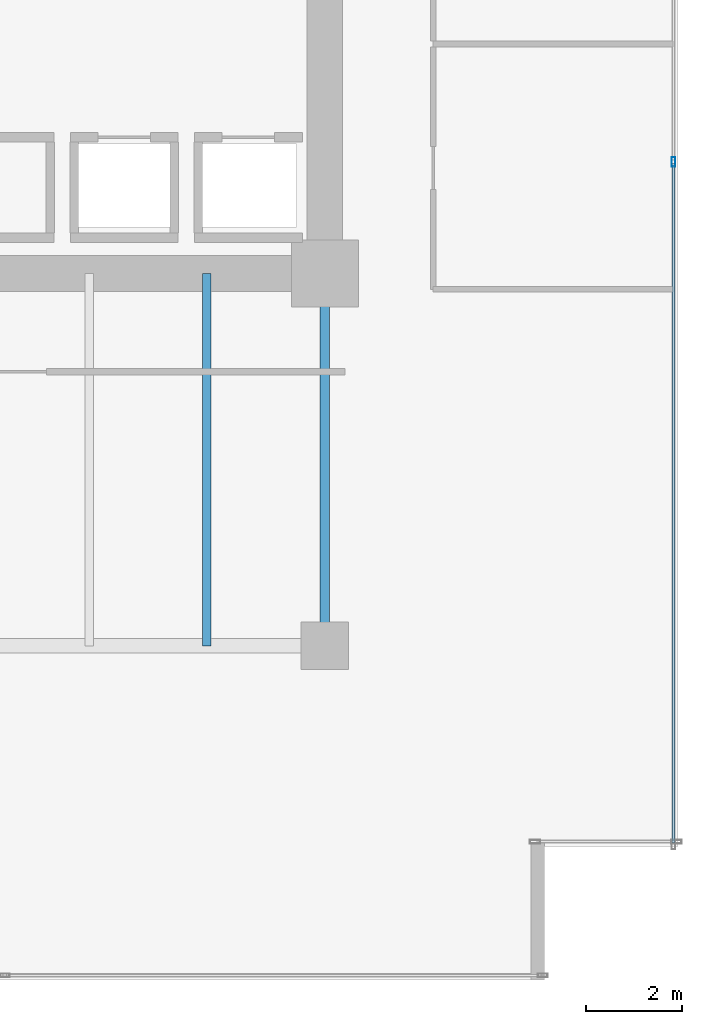
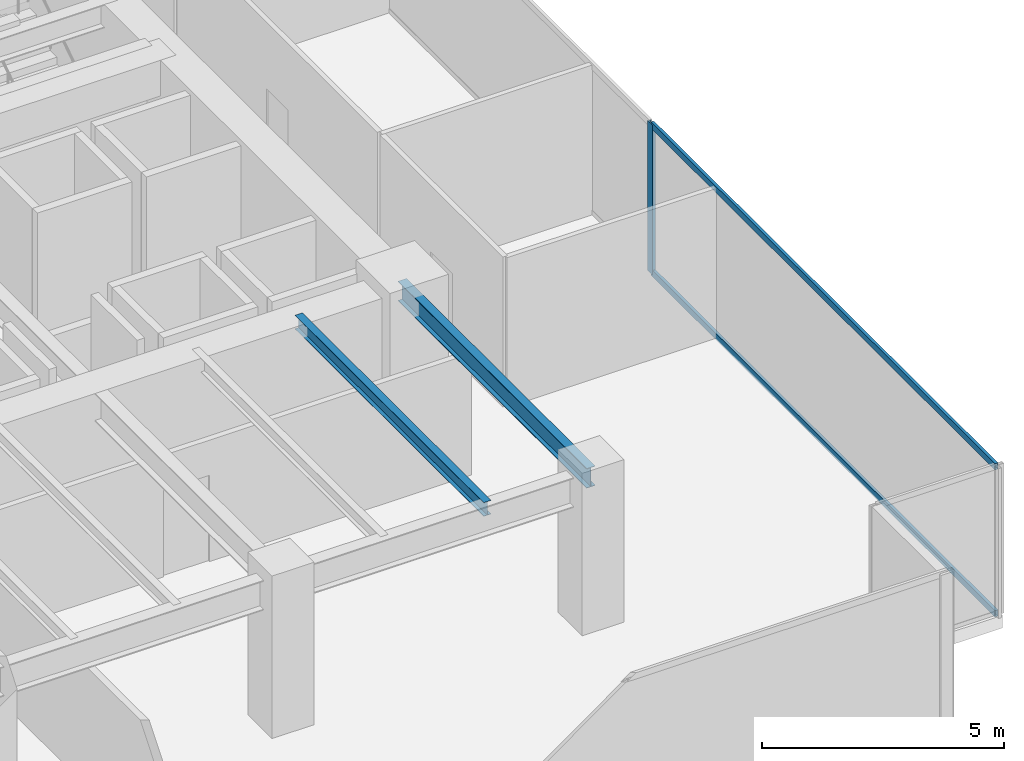
# One storey, part 24 of 35: 3 members, 2 beams, 1 element without a shape of its own.
"""IFC4 building model written with IfcOpenShell, lengths in metres."""

from ifc_helpers import new_model, si_unit, direction, frame, origin, origin_2d, place, context, subcontext, project, spatial, hollow_rectangle, i_section, extrude, source, transform, mapped, material, layer, layer_set, material_profile, profile_set, type_object, type_shapes, element, aggregate, save


model = new_model("IFC4")

# Units and contexts
model_context = context("Model", 3, precision=1e-05, world=origin(), true_north=direction((0.0, 1.0)))
body_context = subcontext(model_context, "Body", "Model", "MODEL_VIEW")
ifc_project = project(units=[si_unit("LENGTHUNIT", "METRE"), si_unit("AREAUNIT", "SQUARE_METRE"), si_unit("VOLUMEUNIT", "CUBIC_METRE"), si_unit("PLANEANGLEUNIT", "RADIAN"), si_unit("MASSUNIT", "GRAM", prefix="KILO")], contexts=[model_context])

# Site, building, storey
site_placement = place(None, origin())
site = spatial("IfcSite", under=ifc_project, at=site_placement, CompositionType="ELEMENT")
building_placement = place(site_placement, origin())
building = spatial("IfcBuilding", under=site, at=building_placement, Name="Haelvirn Gate Laboratories", CompositionType="ELEMENT")
storey_placement = place(building_placement, frame((0.0, 0.0, 45.699951171875)))
storey = spatial("IfcBuildingStorey", under=building, at=storey_placement, Name="L11", CompositionType="ELEMENT", Elevation=45.699951171875)

# Beams
ifc_material_1 = material(Name="Steel SM355", Category="steel")
ifc_material_profile_1 = material_profile(ifc_material_1, i_section(OverallWidth=0.199951171875, OverallDepth=0.5, WebThickness=0.010009765625, FlangeThickness=0.01611328125, at=origin_2d()), Name="H-500x200x10x16")
ifc_profile_set_1 = profile_set([ifc_material_profile_1], Name="Steel SM355")
beam_type_1 = type_object("IfcBeamType", Name="BM-SP-500", PredefinedType="SPANDREL", material=ifc_profile_set_1)
shared_shape_1 = source(origin(), body_context, "Body", "SweptSolid", [
    extrude(i_section(OverallWidth=0.199951171875, OverallDepth=0.5, WebThickness=0.010009765625, FlangeThickness=0.01611328125, at=origin_2d()), origin(), (0.0, 0.0, 1.0), 7.800048828125),
])
type_shapes(beam_type_1, [shared_shape_1])
beam_1_placement = place(storey_placement, frame((67.39990234375, 7.0, 3.530029296875), z_axis=(0.0, 1.0, 0.0), x_axis=(-1.0, 0.0, 0.0)))
element("IfcBeam", 1, at=beam_1_placement, inside=storey, type_object=beam_type_1, Name="L11 Perimeter Spandrel X67.4 (7.0-14.8)", PredefinedType="SPANDREL", context=body_context, shape_type="MappedRepresentation", body=[
    mapped(shared_shape_1, transform((0.0, 0.0, 0.0), scale=1.0)),
])
ifc_material_profile_2 = material_profile(ifc_material_1, i_section(OverallWidth=0.175048828125, OverallDepth=0.35009765625, WebThickness=0.007080078125, FlangeThickness=0.010986328125, at=origin_2d()), Name="H-350x175x7x11")
ifc_profile_set_2 = profile_set([ifc_material_profile_2], Name="Steel SM355")
beam_type_2 = type_object("IfcBeamType", Name="BM-J-350", PredefinedType="JOIST", material=ifc_profile_set_2)
shared_shape_2 = source(origin(), body_context, "Body", "SweptSolid", [
    extrude(i_section(OverallWidth=0.175048828125, OverallDepth=0.35009765625, WebThickness=0.007080078125, FlangeThickness=0.010986328125, at=origin_2d()), origin(), (0.0, 0.0, 1.0), 7.800048828125),
])
type_shapes(beam_type_2, [shared_shape_2])
beam_2_placement = place(storey_placement, frame((64.929931640625, 7.0, 3.60498046875), z_axis=(0.0, 1.0, 0.0), x_axis=(-1.0, 0.0, 0.0)))
element("IfcBeam", 2, at=beam_2_placement, inside=storey, type_object=beam_type_2, Name="L11 Composite Lab Joist South X64.93", PredefinedType="JOIST", context=body_context, shape_type="MappedRepresentation", body=[
    mapped(shared_shape_2, transform((0.0, 0.0, 0.0), scale=1.0)),
])

# Curtain wall, members
ifc_material_2 = material(Name="Anodised bronze unitised aluminium & triple low-E glass", Category="aluminium")
ifc_layer = layer(ifc_material_2, 0.18408203125, Name="CW-SYS-2")
ifc_layer_set = layer_set([ifc_layer], Name="Anodised bronze unitised aluminium & triple low-E glass")
curtain_wall_type = type_object("IfcCurtainWallType", Name="CW-SYS-2", PredefinedType="NOTDEFINED", material=ifc_layer_set)
curtain_wall_placement = place(storey_placement, origin())
curtain_wall = element("IfcCurtainWall", 3, at=curtain_wall_placement, inside=storey, type_object=curtain_wall_type, Name="L11 Unitised Curtain Wall CW-L11-P0-E07", PredefinedType="NOTDEFINED")
ifc_material_3 = material(Name="Extruded aluminium 6063-T6 (anodised bronze)", Category="aluminium")
ifc_material_profile_3 = material_profile(ifc_material_3, hollow_rectangle(XDim=0.074951171875, YDim=0.199951171875, WallThickness=0.0048828125, at=origin_2d()), Name="CWM-200x75x5")
ifc_profile_set_3 = profile_set([ifc_material_profile_3], Name="Extruded aluminium 6063-T6 (anodised bronze)")
member_type_1 = type_object("IfcMemberType", Name="CWM-T200", PredefinedType="MULLION", material=ifc_profile_set_3)
shared_shape_3 = source(origin(), body_context, "Body", "SweptSolid", [
    extrude(hollow_rectangle(XDim=0.074951171875, YDim=0.199951171875, WallThickness=0.0048828125, at=origin_2d()), origin(), (0.0, 0.0, 1.0), 3.780029296875),
])
type_shapes(member_type_1, [shared_shape_3])
member_1_placement = place(storey_placement, frame((74.699951171875, 17.13330078125, 0.0), z_axis=(0.0, 0.0, 1.0), x_axis=(-1.0, 0.0, 0.0)))
member_1 = element("IfcMember", 4, at=member_1_placement, type_object=member_type_1, Name="CW2 mullion 2", PredefinedType="MULLION", context=body_context, shape_type="MappedRepresentation", body=[
    mapped(shared_shape_3, transform((0.0, 0.0, 0.0), scale=1.0)),
])
ifc_material_profile_4 = material_profile(ifc_material_3, hollow_rectangle(XDim=0.070068359375, YDim=0.159912109375, WallThickness=0.0048828125, at=origin_2d()), Name="CWT-160x70x5")
ifc_profile_set_4 = profile_set([ifc_material_profile_4], Name="Extruded aluminium 6063-T6 (anodised bronze)")
member_type_2 = type_object("IfcMemberType", Name="CWT-T160", PredefinedType="USERDEFINED", material=ifc_profile_set_4)
shared_shape_4 = source(origin(), body_context, "Body", "SweptSolid", [
    extrude(hollow_rectangle(XDim=0.070068359375, YDim=0.159912109375, WallThickness=0.0048828125, at=origin_2d()), origin(), (0.0, 0.0, 1.0), 14.220947265625),
])
type_shapes(member_type_2, [shared_shape_4])
member_2_placement = place(storey_placement, frame((74.699951171875, 2.875, 0.03515625), z_axis=(0.0, 1.0, 0.0), x_axis=(-1.0, 0.0, 0.0)))
member_2 = element("IfcMember", 5, at=member_2_placement, type_object=member_type_2, Name="CW2 transom 1.1", ObjectType="TRANSOM", PredefinedType="USERDEFINED", context=body_context, shape_type="MappedRepresentation", body=[
    mapped(shared_shape_4, transform((0.0, 0.0, 0.0), scale=1.0)),
])
member_3_placement = place(storey_placement, frame((74.699951171875, 2.875, 3.7451171875), z_axis=(0.0, 1.0, 0.0), x_axis=(-1.0, 0.0, 0.0)))
member_3 = element("IfcMember", 6, at=member_3_placement, type_object=member_type_2, Name="CW2 transom 1.2", ObjectType="TRANSOM", PredefinedType="USERDEFINED", context=body_context, shape_type="MappedRepresentation", body=[
    mapped(shared_shape_4, transform((0.0, 0.0, 0.0), scale=1.0)),
])
aggregate(curtain_wall, [member_1, member_2, member_3])

save(model, "model.ifc")
